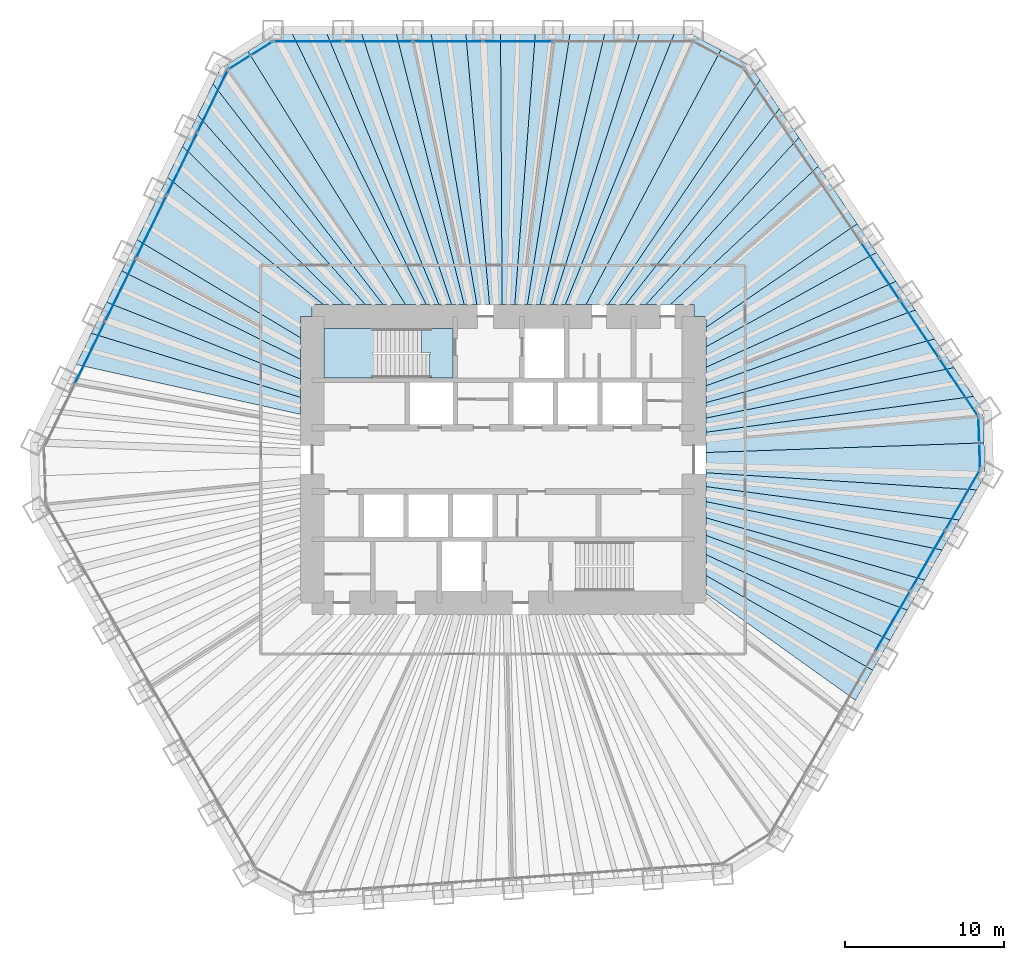
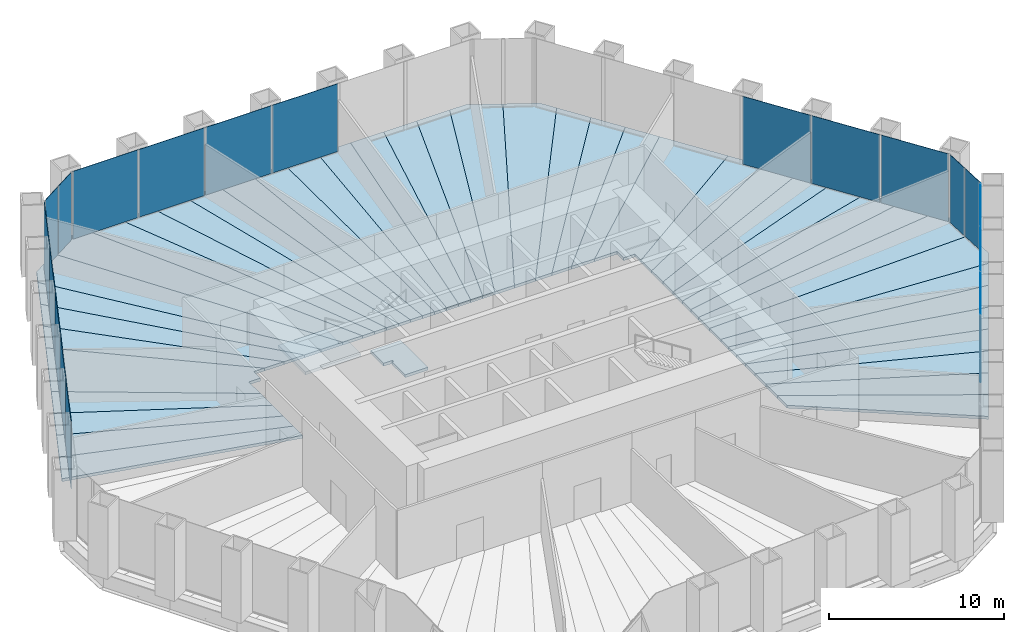
# One storey, part 9 of 13: 44 slabs, 19 plates, 7 elements without a shape of their own.
"""IFC4 building model written with IfcOpenShell, lengths in metres."""

from ifc_helpers import new_model, si_unit, direction, frame, origin, origin_2d, place, context, subcontext, project, spatial, polyline, rectangle, outline, extrude, material, layer, layer_set, type_object, element, aggregate, save


model = new_model("IFC4")

# Units and contexts
model_context = context("Model", 3, precision=1e-05, world=origin(), true_north=direction((0.0, 1.0)))
body_context = subcontext(model_context, "Body", "Model", "MODEL_VIEW")
ifc_project = project(units=[si_unit("LENGTHUNIT", "METRE"), si_unit("AREAUNIT", "SQUARE_METRE"), si_unit("VOLUMEUNIT", "CUBIC_METRE"), si_unit("PLANEANGLEUNIT", "RADIAN"), si_unit("MASSUNIT", "GRAM", prefix="KILO")], contexts=[model_context])

# Site, building, storey
site_placement = place(None, origin())
site = spatial("IfcSite", under=ifc_project, at=site_placement, CompositionType="ELEMENT")
building_placement = place(site_placement, origin())
building = spatial("IfcBuilding", under=site, at=building_placement, Name="Qingtian Harvest Tower", CompositionType="ELEMENT")
storey_placement = place(building_placement, frame((0.0, 0.0, 67.0)))
storey = spatial("IfcBuildingStorey", under=building, at=storey_placement, Name="L13", CompositionType="ELEMENT", Elevation=67.0)

# Slabs
ifc_material_1 = material(Name="Concrete fc' 35 MPa", Category="concrete")
ifc_layer_1 = layer(ifc_material_1, 0.199951171875)
ifc_layer_set_1 = layer_set([ifc_layer_1], Name="Composite floor slab FS20 200")
slab_type_1 = type_object("IfcSlabType", Name="Composite floor slab FS20 200", PredefinedType="FLOOR", material=ifc_layer_set_1)
slab_1_placement = place(storey_placement, frame((0.0, 0.0, -0.199951171875)))
element("IfcSlab", 1, at=slab_1_placement, inside=storey, type_object=slab_type_1, Name="Floor slab L13 panel D32", PredefinedType="FLOOR", context=body_context, shape_type="SweptSolid", body=[
    extrude(outline(polyline([(12.75, -7.279052734375), (23.247802734375, -13.243408203125), (22.159423828125, -15.128662109375), (12.75, -8.4091796875), (12.75, -7.279052734375)])), origin(), (0.0, 0.0, 1.0), 0.199951171875),
])
slab_2_placement = place(storey_placement, frame((0.0, 0.0, -0.199951171875)))
element("IfcSlab", 2, at=slab_2_placement, inside=storey, type_object=slab_type_1, Name="Floor slab L13 panel D33", PredefinedType="FLOOR", context=body_context, shape_type="SweptSolid", body=[
    extrude(outline(polyline([(12.75, -5.96142578125), (24.339111328125, -11.353515625), (23.247802734375, -13.243408203125), (12.75, -7.279052734375), (12.75, -5.96142578125)])), origin(), (0.0, 0.0, 1.0), 0.199951171875),
])
slab_3_placement = place(storey_placement, frame((0.0, 0.0, -0.199951171875)))
element("IfcSlab", 3, at=slab_3_placement, inside=storey, type_object=slab_type_1, Name="Floor slab L13 panel D34", PredefinedType="FLOOR", context=body_context, shape_type="SweptSolid", body=[
    extrude(outline(polyline([(12.75, -4.757080078125), (25.43017578125, -9.46337890625), (24.339111328125, -11.353515625), (12.75, -5.96142578125), (12.75, -4.757080078125)])), origin(), (0.0, 0.0, 1.0), 0.199951171875),
])
slab_4_placement = place(storey_placement, frame((0.0, 0.0, -0.199951171875)))
element("IfcSlab", 4, at=slab_4_placement, inside=storey, type_object=slab_type_1, Name="Floor slab L13 panel D35", PredefinedType="FLOOR", context=body_context, shape_type="SweptSolid", body=[
    extrude(outline(polyline([(12.75, -3.651611328125), (26.521484375, -7.573486328125), (25.43017578125, -9.46337890625), (12.75, -4.757080078125), (12.75, -3.651611328125)])), origin(), (0.0, 0.0, 1.0), 0.199951171875),
])
slab_5_placement = place(storey_placement, frame((0.0, 0.0, -0.199951171875)))
element("IfcSlab", 5, at=slab_5_placement, inside=storey, type_object=slab_type_1, Name="Floor slab L13 panel D36", PredefinedType="FLOOR", context=body_context, shape_type="SweptSolid", body=[
    extrude(outline(polyline([(12.75, -2.634033203125), (27.612548828125, -5.68359375), (26.521484375, -7.573486328125), (12.75, -3.651611328125), (12.75, -2.634033203125)])), origin(), (0.0, 0.0, 1.0), 0.199951171875),
])
slab_6_placement = place(storey_placement, frame((0.0, 0.0, -0.199951171875)))
element("IfcSlab", 6, at=slab_6_placement, inside=storey, type_object=slab_type_1, Name="Floor slab L13 panel D37", PredefinedType="FLOOR", context=body_context, shape_type="SweptSolid", body=[
    extrude(outline(polyline([(12.75, -1.693603515625), (28.703857421875, -3.793701171875), (27.612548828125, -5.68359375), (12.75, -2.634033203125), (12.75, -1.693603515625)])), origin(), (0.0, 0.0, 1.0), 0.199951171875),
])
slab_7_placement = place(storey_placement, frame((0.0, 0.0, -0.199951171875)))
element("IfcSlab", 7, at=slab_7_placement, inside=storey, type_object=slab_type_1, Name="Floor slab L13 panel D38", PredefinedType="FLOOR", context=body_context, shape_type="SweptSolid", body=[
    extrude(outline(polyline([(12.75, -0.822265625), (29.794921875, -1.903564453125), (28.703857421875, -3.793701171875), (12.75, -1.693603515625), (12.75, -0.822265625)])), origin(), (0.0, 0.0, 1.0), 0.199951171875),
])
slab_8_placement = place(storey_placement, frame((0.0, 0.0, -0.199951171875)))
element("IfcSlab", 8, at=slab_8_placement, inside=storey, type_object=slab_type_1, Name="Floor slab L13 panel D39", PredefinedType="FLOOR", context=body_context, shape_type="SweptSolid", body=[
    extrude(outline(polyline([(12.75, -0.822265625), (12.75, 0.447265625), (30.2587890625, 1.056640625), (30.32958984375, -0.9775390625), (29.794921875, -1.903564453125), (12.75, -0.822265625)])), origin(), (0.0, 0.0, 1.0), 0.199951171875),
])
slab_9_placement = place(storey_placement, frame((0.0, 0.0, -0.199951171875)))
element("IfcSlab", 9, at=slab_9_placement, inside=storey, type_object=slab_type_1, Name="Floor slab L13 panel D40", PredefinedType="FLOOR", context=body_context, shape_type="SweptSolid", body=[
    extrude(outline(polyline([(12.75, 0.447265625), (12.75, 1.72265625), (29.589599609375, 3.977294921875), (30.187744140625, 3.0908203125), (30.2587890625, 1.056640625), (12.75, 0.447265625)])), origin(), (0.0, 0.0, 1.0), 0.199951171875),
])
slab_10_placement = place(storey_placement, frame((0.0, 0.0, -0.199951171875)))
element("IfcSlab", 10, at=slab_10_placement, inside=storey, type_object=slab_type_1, Name="Floor slab L13 panel D41", PredefinedType="FLOOR", context=body_context, shape_type="SweptSolid", body=[
    extrude(outline(polyline([(12.75, 2.610595703125), (28.369140625, 5.78662109375), (29.589599609375, 3.977294921875), (12.75, 1.72265625), (12.75, 2.610595703125)])), origin(), (0.0, 0.0, 1.0), 0.199951171875),
])
slab_11_placement = place(storey_placement, frame((0.0, 0.0, -0.199951171875)))
element("IfcSlab", 11, at=slab_11_placement, inside=storey, type_object=slab_type_1, Name="Floor slab L13 panel D42", PredefinedType="FLOOR", context=body_context, shape_type="SweptSolid", body=[
    extrude(outline(polyline([(12.75, 3.57861328125), (27.14892578125, 7.595947265625), (28.369140625, 5.78662109375), (12.75, 2.610595703125), (12.75, 3.57861328125)])), origin(), (0.0, 0.0, 1.0), 0.199951171875),
])
slab_12_placement = place(storey_placement, frame((0.0, 0.0, -0.199951171875)))
element("IfcSlab", 12, at=slab_12_placement, inside=storey, type_object=slab_type_1, Name="Floor slab L13 panel D43", PredefinedType="FLOOR", context=body_context, shape_type="SweptSolid", body=[
    extrude(outline(polyline([(12.75, 4.6376953125), (25.928466796875, 9.405029296875), (27.14892578125, 7.595947265625), (12.75, 3.57861328125), (12.75, 4.6376953125)])), origin(), (0.0, 0.0, 1.0), 0.199951171875),
])
slab_13_placement = place(storey_placement, frame((0.0, 0.0, -0.199951171875)))
element("IfcSlab", 13, at=slab_13_placement, inside=storey, type_object=slab_type_1, Name="Floor slab L13 panel D44", PredefinedType="FLOOR", context=body_context, shape_type="SweptSolid", body=[
    extrude(outline(polyline([(12.75, 5.8017578125), (24.708251953125, 11.21435546875), (25.928466796875, 9.405029296875), (12.75, 4.6376953125), (12.75, 5.8017578125)])), origin(), (0.0, 0.0, 1.0), 0.199951171875),
])
slab_14_placement = place(storey_placement, frame((0.0, 0.0, -0.199951171875)))
element("IfcSlab", 14, at=slab_14_placement, inside=storey, type_object=slab_type_1, Name="Floor slab L13 panel D45", PredefinedType="FLOOR", context=body_context, shape_type="SweptSolid", body=[
    extrude(outline(polyline([(12.75, 7.087158203125), (23.48779296875, 13.023681640625), (24.708251953125, 11.21435546875), (12.75, 5.8017578125), (12.75, 7.087158203125)])), origin(), (0.0, 0.0, 1.0), 0.199951171875),
])
slab_15_placement = place(storey_placement, frame((0.0, 0.0, -0.199951171875)))
element("IfcSlab", 15, at=slab_15_placement, inside=storey, type_object=slab_type_1, Name="Floor slab L13 panel D46", PredefinedType="FLOOR", context=body_context, shape_type="SweptSolid", body=[
    extrude(outline(polyline([(12.75, 8.30615234375), (22.26953125, 14.829833984375), (23.48779296875, 13.023681640625), (12.75, 7.087158203125), (12.75, 8.30615234375)])), origin(), (0.0, 0.0, 1.0), 0.199951171875),
])
slab_16_placement = place(storey_placement, frame((0.0, 0.0, -0.199951171875)))
element("IfcSlab", 16, at=slab_16_placement, inside=storey, type_object=slab_type_1, Name="Floor slab L13 panel D48", PredefinedType="FLOOR", context=body_context, shape_type="SweptSolid", body=[
    extrude(outline(polyline([(19.8271484375, 18.45068359375), (22.26953125, 14.829833984375), (12.75, 8.30615234375), (12.75, 9.0), (12.0, 9.0), (12.0, 9.75), (10.51806640625, 9.75), (19.8271484375, 18.45068359375)])), origin(), (0.0, 0.0, 1.0), 0.199951171875),
])
slab_17_placement = place(storey_placement, frame((0.0, 0.0, -0.199951171875)))
element("IfcSlab", 17, at=slab_17_placement, inside=storey, type_object=slab_type_1, Name="Floor slab L13 panel D49", PredefinedType="FLOOR", context=body_context, shape_type="SweptSolid", body=[
    extrude(outline(polyline([(8.985107421875, 9.75), (18.60693359375, 20.260009765625), (19.8271484375, 18.45068359375), (10.51806640625, 9.75), (8.985107421875, 9.75)])), origin(), (0.0, 0.0, 1.0), 0.199951171875),
])
slab_18_placement = place(storey_placement, frame((0.0, 0.0, -0.199951171875)))
element("IfcSlab", 18, at=slab_18_placement, inside=storey, type_object=slab_type_1, Name="Floor slab L13 panel D50", PredefinedType="FLOOR", context=body_context, shape_type="SweptSolid", body=[
    extrude(outline(polyline([(7.705078125, 9.75), (17.386474609375, 22.0693359375), (18.60693359375, 20.260009765625), (8.985107421875, 9.75), (7.705078125, 9.75)])), origin(), (0.0, 0.0, 1.0), 0.199951171875),
])
slab_19_placement = place(storey_placement, frame((0.0, 0.0, -0.199951171875)))
element("IfcSlab", 19, at=slab_19_placement, inside=storey, type_object=slab_type_1, Name="Floor slab L13 panel D51", PredefinedType="FLOOR", context=body_context, shape_type="SweptSolid", body=[
    extrude(outline(polyline([(6.61962890625, 9.75), (16.166015625, 23.87841796875), (17.386474609375, 22.0693359375), (7.705078125, 9.75), (6.61962890625, 9.75)])), origin(), (0.0, 0.0, 1.0), 0.199951171875),
])
slab_20_placement = place(storey_placement, frame((0.0, 0.0, -0.199951171875)))
element("IfcSlab", 20, at=slab_20_placement, inside=storey, type_object=slab_type_1, Name="Floor slab L13 panel D52", PredefinedType="FLOOR", context=body_context, shape_type="SweptSolid", body=[
    extrude(outline(polyline([(6.61962890625, 9.75), (5.21875, 9.75), (13.697265625, 25.760009765625), (15.56787109375, 24.765380859375), (16.166015625, 23.87841796875), (6.61962890625, 9.75)])), origin(), (0.0, 0.0, 1.0), 0.199951171875),
])
slab_21_placement = place(storey_placement, frame((0.0, 0.0, -0.199951171875)))
element("IfcSlab", 21, at=slab_21_placement, inside=storey, type_object=slab_type_1, Name="Floor slab L13 panel D53", PredefinedType="FLOOR", context=body_context, shape_type="SweptSolid", body=[
    extrude(outline(polyline([(3.919921875, 9.75), (10.756591796875, 26.7548828125), (11.825927734375, 26.7548828125), (13.697265625, 25.760009765625), (5.21875, 9.75), (3.919921875, 9.75)])), origin(), (0.0, 0.0, 1.0), 0.199951171875),
])
slab_22_placement = place(storey_placement, frame((0.0, 0.0, -0.199951171875)))
element("IfcSlab", 22, at=slab_22_placement, inside=storey, type_object=slab_type_1, Name="Floor slab L13 panel D54", PredefinedType="FLOOR", context=body_context, shape_type="SweptSolid", body=[
    extrude(outline(polyline([(3.12451171875, 9.75), (8.57421875, 26.7548828125), (10.756591796875, 26.7548828125), (3.919921875, 9.75), (3.12451171875, 9.75)])), origin(), (0.0, 0.0, 1.0), 0.199951171875),
])
slab_23_placement = place(storey_placement, frame((0.0, 0.0, -0.199951171875)))
element("IfcSlab", 23, at=slab_23_placement, inside=storey, type_object=slab_type_1, Name="Floor slab L13 panel D55", PredefinedType="FLOOR", context=body_context, shape_type="SweptSolid", body=[
    extrude(outline(polyline([(2.329345703125, 9.75), (6.391845703125, 26.7548828125), (8.57421875, 26.7548828125), (3.12451171875, 9.75), (2.329345703125, 9.75)])), origin(), (0.0, 0.0, 1.0), 0.199951171875),
])
slab_24_placement = place(storey_placement, frame((0.0, 0.0, -0.199951171875)))
element("IfcSlab", 24, at=slab_24_placement, inside=storey, type_object=slab_type_1, Name="Floor slab L13 panel D56", PredefinedType="FLOOR", context=body_context, shape_type="SweptSolid", body=[
    extrude(outline(polyline([(1.533935546875, 9.75), (4.20947265625, 26.7548828125), (6.391845703125, 26.7548828125), (2.329345703125, 9.75), (1.533935546875, 9.75)])), origin(), (0.0, 0.0, 1.0), 0.199951171875),
])
slab_25_placement = place(storey_placement, frame((0.0, 0.0, -0.199951171875)))
element("IfcSlab", 25, at=slab_25_placement, inside=storey, type_object=slab_type_1, Name="Floor slab L13 panel D57", PredefinedType="FLOOR", context=body_context, shape_type="SweptSolid", body=[
    extrude(outline(polyline([(0.73876953125, 9.75), (2.02734375, 26.7548828125), (4.20947265625, 26.7548828125), (1.533935546875, 9.75), (0.73876953125, 9.75)])), origin(), (0.0, 0.0, 1.0), 0.199951171875),
])
slab_26_placement = place(storey_placement, frame((0.0, 0.0, -0.199951171875)))
element("IfcSlab", 26, at=slab_26_placement, inside=storey, type_object=slab_type_1, Name="Floor slab L13 panel D58", PredefinedType="FLOOR", context=body_context, shape_type="SweptSolid", body=[
    extrude(outline(polyline([(-0.056396484375, 9.75), (-0.155029296875, 26.7548828125), (2.02734375, 26.7548828125), (0.73876953125, 9.75), (-0.056396484375, 9.75)])), origin(), (0.0, 0.0, 1.0), 0.199951171875),
])
slab_27_placement = place(storey_placement, frame((0.0, 0.0, -0.199951171875)))
element("IfcSlab", 27, at=slab_27_placement, inside=storey, type_object=slab_type_1, Name="Floor slab L13 panel D59", PredefinedType="FLOOR", context=body_context, shape_type="SweptSolid", body=[
    extrude(outline(polyline([(-0.851806640625, 9.75), (-2.33740234375, 26.7548828125), (-0.155029296875, 26.7548828125), (-0.056396484375, 9.75), (-0.851806640625, 9.75)])), origin(), (0.0, 0.0, 1.0), 0.199951171875),
])
slab_28_placement = place(storey_placement, frame((0.0, 0.0, -0.199951171875)))
element("IfcSlab", 28, at=slab_28_placement, inside=storey, type_object=slab_type_1, Name="Floor slab L13 panel D60", PredefinedType="FLOOR", context=body_context, shape_type="SweptSolid", body=[
    extrude(outline(polyline([(-1.64697265625, 9.75), (-4.519775390625, 26.7548828125), (-2.33740234375, 26.7548828125), (-0.851806640625, 9.75), (-1.64697265625, 9.75)])), origin(), (0.0, 0.0, 1.0), 0.199951171875),
])
slab_29_placement = place(storey_placement, frame((0.0, 0.0, -0.199951171875)))
element("IfcSlab", 29, at=slab_29_placement, inside=storey, type_object=slab_type_1, Name="Floor slab L13 panel D61", PredefinedType="FLOOR", context=body_context, shape_type="SweptSolid", body=[
    extrude(outline(polyline([(-2.4423828125, 9.75), (-6.7021484375, 26.7548828125), (-4.519775390625, 26.7548828125), (-1.64697265625, 9.75), (-2.4423828125, 9.75)])), origin(), (0.0, 0.0, 1.0), 0.199951171875),
])
slab_30_placement = place(storey_placement, frame((0.0, 0.0, -0.199951171875)))
element("IfcSlab", 30, at=slab_30_placement, inside=storey, type_object=slab_type_1, Name="Floor slab L13 panel D62", PredefinedType="FLOOR", context=body_context, shape_type="SweptSolid", body=[
    extrude(outline(polyline([(-3.237548828125, 9.75), (-8.88427734375, 26.7548828125), (-6.7021484375, 26.7548828125), (-2.4423828125, 9.75), (-3.237548828125, 9.75)])), origin(), (0.0, 0.0, 1.0), 0.199951171875),
])
slab_31_placement = place(storey_placement, frame((0.0, 0.0, -0.199951171875)))
element("IfcSlab", 31, at=slab_31_placement, inside=storey, type_object=slab_type_1, Name="Floor slab L13 panel D63", PredefinedType="FLOOR", context=body_context, shape_type="SweptSolid", body=[
    extrude(outline(polyline([(-4.032958984375, 9.75), (-11.066650390625, 26.7548828125), (-8.88427734375, 26.7548828125), (-3.237548828125, 9.75), (-4.032958984375, 9.75)])), origin(), (0.0, 0.0, 1.0), 0.199951171875),
])
slab_32_placement = place(storey_placement, frame((0.0, 0.0, -0.199951171875)))
element("IfcSlab", 32, at=slab_32_placement, inside=storey, type_object=slab_type_1, Name="Floor slab L13 panel D64", PredefinedType="FLOOR", context=body_context, shape_type="SweptSolid", body=[
    extrude(outline(polyline([(-4.828125, 9.75), (-13.2490234375, 26.7548828125), (-11.066650390625, 26.7548828125), (-4.032958984375, 9.75), (-4.828125, 9.75)])), origin(), (0.0, 0.0, 1.0), 0.199951171875),
])
slab_33_placement = place(storey_placement, frame((0.0, 0.0, -0.199951171875)))
element("IfcSlab", 33, at=slab_33_placement, inside=storey, type_object=slab_type_1, Name="Floor slab L13 panel D65", PredefinedType="FLOOR", context=body_context, shape_type="SweptSolid", body=[
    extrude(outline(polyline([(-4.828125, 9.75), (-6.130126953125, 9.75), (-16.044921875, 25.67626953125), (-14.318359375, 26.7548828125), (-13.2490234375, 26.7548828125), (-4.828125, 9.75)])), origin(), (0.0, 0.0, 1.0), 0.199951171875),
])
slab_34_placement = place(storey_placement, frame((0.0, 0.0, -0.199951171875)))
element("IfcSlab", 34, at=slab_34_placement, inside=storey, type_object=slab_type_1, Name="Floor slab L13 panel D66", PredefinedType="FLOOR", context=body_context, shape_type="SweptSolid", body=[
    extrude(outline(polyline([(-6.130126953125, 9.75), (-7.544677734375, 9.75), (-18.239501953125, 23.636474609375), (-17.7705078125, 24.597900390625), (-16.044921875, 25.67626953125), (-6.130126953125, 9.75)])), origin(), (0.0, 0.0, 1.0), 0.199951171875),
])
slab_35_placement = place(storey_placement, frame((0.0, 0.0, -0.199951171875)))
element("IfcSlab", 35, at=slab_35_placement, inside=storey, type_object=slab_type_1, Name="Floor slab L13 panel D67", PredefinedType="FLOOR", context=body_context, shape_type="SweptSolid", body=[
    extrude(outline(polyline([(-8.662109375, 9.75), (-19.196044921875, 21.675048828125), (-18.239501953125, 23.636474609375), (-7.544677734375, 9.75), (-8.662109375, 9.75)])), origin(), (0.0, 0.0, 1.0), 0.199951171875),
])
slab_36_placement = place(storey_placement, frame((0.0, 0.0, -0.199951171875)))
element("IfcSlab", 36, at=slab_36_placement, inside=storey, type_object=slab_type_1, Name="Floor slab L13 panel D68", PredefinedType="FLOOR", context=body_context, shape_type="SweptSolid", body=[
    extrude(outline(polyline([(-10.00341796875, 9.75), (-20.15283203125, 19.71337890625), (-19.196044921875, 21.675048828125), (-8.662109375, 9.75), (-10.00341796875, 9.75)])), origin(), (0.0, 0.0, 1.0), 0.199951171875),
])
slab_37_placement = place(storey_placement, frame((0.0, 0.0, -0.199951171875)))
element("IfcSlab", 37, at=slab_37_placement, inside=storey, type_object=slab_type_1, Name="Floor slab L13 panel D69", PredefinedType="FLOOR", context=body_context, shape_type="SweptSolid", body=[
    extrude(outline(polyline([(-11.2939453125, 9.75), (-21.107666015625, 17.755859375), (-20.15283203125, 19.71337890625), (-10.00341796875, 9.75), (-11.2939453125, 9.75)])), origin(), (0.0, 0.0, 1.0), 0.199951171875),
])
slab_38_placement = place(storey_placement, frame((0.0, 0.0, -0.199951171875)))
element("IfcSlab", 38, at=slab_38_placement, inside=storey, type_object=slab_type_1, Name="Floor slab L13 panel D70", PredefinedType="FLOOR", context=body_context, shape_type="SweptSolid", body=[
    extrude(outline(polyline([(-12.0, 9.0), (-12.75, 9.0), (-12.75, 7.67333984375), (-23.0224609375, 13.82958984375), (-21.107666015625, 17.755859375), (-11.2939453125, 9.75), (-12.0, 9.75), (-12.0, 9.0)])), origin(), (0.0, 0.0, 1.0), 0.199951171875),
])
slab_39_placement = place(storey_placement, frame((0.0, 0.0, -0.199951171875)))
element("IfcSlab", 39, at=slab_39_placement, inside=storey, type_object=slab_type_1, Name="Floor slab L13 panel D72", PredefinedType="FLOOR", context=body_context, shape_type="SweptSolid", body=[
    extrude(outline(polyline([(-12.75, 6.3232421875), (-23.979248046875, 11.8681640625), (-23.0224609375, 13.82958984375), (-12.75, 7.67333984375), (-12.75, 6.3232421875)])), origin(), (0.0, 0.0, 1.0), 0.199951171875),
])
slab_40_placement = place(storey_placement, frame((0.0, 0.0, -0.199951171875)))
element("IfcSlab", 40, at=slab_40_placement, inside=storey, type_object=slab_type_1, Name="Floor slab L13 panel D73", PredefinedType="FLOOR", context=body_context, shape_type="SweptSolid", body=[
    extrude(outline(polyline([(-12.75, 5.076904296875), (-24.935791015625, 9.90673828125), (-23.979248046875, 11.8681640625), (-12.75, 6.3232421875), (-12.75, 5.076904296875)])), origin(), (0.0, 0.0, 1.0), 0.199951171875),
])
slab_41_placement = place(storey_placement, frame((0.0, 0.0, -0.199951171875)))
element("IfcSlab", 41, at=slab_41_placement, inside=storey, type_object=slab_type_1, Name="Floor slab L13 panel D74", PredefinedType="FLOOR", context=body_context, shape_type="SweptSolid", body=[
    extrude(outline(polyline([(-12.75, 3.922607421875), (-25.892578125, 7.9453125), (-24.935791015625, 9.90673828125), (-12.75, 5.076904296875), (-12.75, 3.922607421875)])), origin(), (0.0, 0.0, 1.0), 0.199951171875),
])
slab_42_placement = place(storey_placement, frame((0.0, 0.0, -0.199951171875)))
element("IfcSlab", 42, at=slab_42_placement, inside=storey, type_object=slab_type_1, Name="Floor slab L13 panel D75", PredefinedType="FLOOR", context=body_context, shape_type="SweptSolid", body=[
    extrude(outline(polyline([(-12.75, 2.8505859375), (-26.84912109375, 5.98388671875), (-25.892578125, 7.9453125), (-12.75, 3.922607421875), (-12.75, 2.8505859375)])), origin(), (0.0, 0.0, 1.0), 0.199951171875),
])

# Curtain wall, plates
ifc_material_2 = material(Name="Bronze-anodised aluminium curtain wall", Category="aluminium")
curtain_wall_type = type_object("IfcCurtainWallType", Name="Curtain wall CW2 farm reception", PredefinedType="USERDEFINED", material=ifc_material_2)
curtain_wall_1_placement = place(storey_placement, origin())
curtain_wall_1 = element("IfcCurtainWall", 43, at=curtain_wall_1_placement, inside=storey, type_object=curtain_wall_type, Name="Curtain wall CW2 L13 N0-5", ObjectType="RECESSED CURTAIN WALL", PredefinedType="USERDEFINED")
ifc_material_3 = material(Name="Bronze-tinted laminated insulating glass", Category="glass")
ifc_layer_2 = layer(ifc_material_3, 0.030029296875)
ifc_layer_set_2 = layer_set([ifc_layer_2], Name="Glazed panel CWP tinted IGU")
plate_type = type_object("IfcPlateType", Name="Glazed panel CWP tinted IGU", PredefinedType="CURTAIN_PANEL", material=ifc_layer_set_2)
plate_1_placement = place(storey_placement, frame((-12.2529296875, 26.300048828125, 0.06494140625), z_axis=(0.0, 0.0, 1.0), x_axis=(1.0, 0.0, 0.0)))
plate_1 = element("IfcPlate", 44, at=plate_1_placement, type_object=plate_type, Name="CW2 panel 1.1", PredefinedType="CURTAIN_PANEL", context=body_context, shape_type="SweptSolid", body=[
    extrude(rectangle(XDim=4.30712890625, YDim=0.030029296875, at=origin_2d()), origin(), (0.0, 0.0, 1.0), 4.735107421875),
])
plate_2_placement = place(storey_placement, frame((-7.864501953125, 26.300048828125, 0.06494140625), z_axis=(0.0, 0.0, 1.0), x_axis=(1.0, 0.0, 0.0)))
plate_2 = element("IfcPlate", 45, at=plate_2_placement, type_object=plate_type, Name="CW2 panel 2.1", PredefinedType="CURTAIN_PANEL", context=body_context, shape_type="SweptSolid", body=[
    extrude(rectangle(XDim=4.339599609375, YDim=0.030029296875, at=origin_2d()), origin(), (0.0, 0.0, 1.0), 4.735107421875),
])
plate_3_placement = place(storey_placement, frame((-3.4599609375, 26.300048828125, 0.06494140625), z_axis=(0.0, 0.0, 1.0), x_axis=(1.0, 0.0, 0.0)))
plate_3 = element("IfcPlate", 46, at=plate_3_placement, type_object=plate_type, Name="CW2 panel 3.1", PredefinedType="CURTAIN_PANEL", context=body_context, shape_type="SweptSolid", body=[
    extrude(rectangle(XDim=4.339599609375, YDim=0.030029296875, at=origin_2d()), origin(), (0.0, 0.0, 1.0), 4.735107421875),
])
plate_4_placement = place(storey_placement, frame((0.944580078125, 26.300048828125, 0.06494140625), z_axis=(0.0, 0.0, 1.0), x_axis=(1.0, 0.0, 0.0)))
plate_4 = element("IfcPlate", 47, at=plate_4_placement, type_object=plate_type, Name="CW2 panel 4.1", PredefinedType="CURTAIN_PANEL", context=body_context, shape_type="SweptSolid", body=[
    extrude(rectangle(XDim=4.339599609375, YDim=0.030029296875, at=origin_2d()), origin(), (0.0, 0.0, 1.0), 4.735107421875),
])
aggregate(curtain_wall_1, [plate_1, plate_2, plate_3, plate_4])

curtain_wall_2_placement = place(storey_placement, origin())
curtain_wall_2 = element("IfcCurtainWall", 48, at=curtain_wall_2_placement, inside=storey, type_object=curtain_wall_type, Name="Curtain wall CW2 L13 NE0-5", ObjectType="RECESSED CURTAIN WALL", PredefinedType="USERDEFINED")
plate_5_placement = place(storey_placement, frame((23.738525390625, 11.83837890625, 0.06494140625), z_axis=(0.0, 0.0, 1.0), x_axis=(0.559192903471, -0.829037572555, 0.0)))
plate_5 = element("IfcPlate", 49, at=plate_5_placement, type_object=plate_type, Name="CW2 panel 4.1", PredefinedType="CURTAIN_PANEL", context=body_context, shape_type="SweptSolid", body=[
    extrude(rectangle(XDim=4.339599609375, YDim=0.030029296875, at=origin_2d()), origin(), (0.0, 0.0, 1.0), 4.735107421875),
])
plate_6_placement = place(storey_placement, frame((26.201416015625, 8.186767578125, 0.06494140625), z_axis=(0.0, 0.0, 1.0), x_axis=(0.559192903471, -0.829037572555, 0.0)))
plate_6 = element("IfcPlate", 50, at=plate_6_placement, type_object=plate_type, Name="CW2 panel 5.1", PredefinedType="CURTAIN_PANEL", context=body_context, shape_type="SweptSolid", body=[
    extrude(rectangle(XDim=4.339599609375, YDim=0.030029296875, at=origin_2d()), origin(), (0.0, 0.0, 1.0), 4.735107421875),
])
plate_7_placement = place(storey_placement, frame((28.655517578125, 4.548583984375, 0.06494140625), z_axis=(0.0, 0.0, 1.0), x_axis=(0.559192903471, -0.829037572555, 0.0)))
plate_7 = element("IfcPlate", 51, at=plate_7_placement, type_object=plate_type, Name="CW2 panel 6.1", PredefinedType="CURTAIN_PANEL", context=body_context, shape_type="SweptSolid", body=[
    extrude(rectangle(XDim=4.30712890625, YDim=0.030029296875, at=origin_2d()), origin(), (0.0, 0.0, 1.0), 4.735107421875),
])
aggregate(curtain_wall_2, [plate_5, plate_6, plate_7])

curtain_wall_3_placement = place(storey_placement, origin())
curtain_wall_3 = element("IfcCurtainWall", 52, at=curtain_wall_3_placement, inside=storey, type_object=curtain_wall_type, Name="Curtain wall CW2 L13 NEC", ObjectType="RECESSED CURTAIN WALL", PredefinedType="USERDEFINED")
plate_8_placement = place(storey_placement, frame((29.925537109375, 1.861572265625, 0.06494140625), z_axis=(0.0, 0.0, 1.0), x_axis=(0.034899496703, -0.999390827019, 0.0)))
plate_8 = element("IfcPlate", 53, at=plate_8_placement, type_object=plate_type, Name="CW2 panel 1.1", PredefinedType="CURTAIN_PANEL", context=body_context, shape_type="SweptSolid", body=[
    extrude(rectangle(XDim=1.56689453125, YDim=0.030029296875, at=origin_2d()), origin(), (0.0, 0.0, 1.0), 4.735107421875),
])
plate_9_placement = place(storey_placement, frame((29.982666015625, 0.23046875, 0.06494140625), z_axis=(0.0, 0.0, 1.0), x_axis=(0.034899496703, -0.999390827019, 0.0)))
plate_9 = element("IfcPlate", 54, at=plate_9_placement, type_object=plate_type, Name="CW2 panel 2.1", PredefinedType="CURTAIN_PANEL", context=body_context, shape_type="SweptSolid", body=[
    extrude(rectangle(XDim=1.56689453125, YDim=0.030029296875, at=origin_2d()), origin(), (0.0, 0.0, 1.0), 4.735107421875),
])
aggregate(curtain_wall_3, [plate_8, plate_9])

curtain_wall_4_placement = place(storey_placement, origin())
curtain_wall_4 = element("IfcCurtainWall", 55, at=curtain_wall_4_placement, inside=storey, type_object=curtain_wall_type, Name="Curtain wall CW2 L13 SE0-5", ObjectType="RECESSED CURTAIN WALL", PredefinedType="USERDEFINED")
plate_10_placement = place(storey_placement, frame((28.90283203125, -2.53857421875, 0.06494140625), z_axis=(0.0, 0.0, 1.0), x_axis=(-0.5, -0.866025403784, 0.0)))
plate_10 = element("IfcPlate", 56, at=plate_10_placement, type_object=plate_type, Name="CW2 panel 1.1", PredefinedType="CURTAIN_PANEL", context=body_context, shape_type="SweptSolid", body=[
    extrude(rectangle(XDim=4.30712890625, YDim=0.030029296875, at=origin_2d()), origin(), (0.0, 0.0, 1.0), 4.735107421875),
])
plate_11_placement = place(storey_placement, frame((26.708740234375, -6.339111328125, 0.06494140625), z_axis=(0.0, 0.0, 1.0), x_axis=(-0.5, -0.866025403784, 0.0)))
plate_11 = element("IfcPlate", 57, at=plate_11_placement, type_object=plate_type, Name="CW2 panel 2.1", PredefinedType="CURTAIN_PANEL", context=body_context, shape_type="SweptSolid", body=[
    extrude(rectangle(XDim=4.339599609375, YDim=0.030029296875, at=origin_2d()), origin(), (0.0, 0.0, 1.0), 4.735107421875),
])
plate_12_placement = place(storey_placement, frame((24.50634765625, -10.153564453125, 0.06494140625), z_axis=(0.0, 0.0, 1.0), x_axis=(-0.5, -0.866025403784, 0.0)))
plate_12 = element("IfcPlate", 58, at=plate_12_placement, type_object=plate_type, Name="CW2 panel 3.1", PredefinedType="CURTAIN_PANEL", context=body_context, shape_type="SweptSolid", body=[
    extrude(rectangle(XDim=4.339599609375, YDim=0.030029296875, at=origin_2d()), origin(), (0.0, 0.0, 1.0), 4.735107421875),
])
aggregate(curtain_wall_4, [plate_10, plate_11, plate_12])

curtain_wall_5_placement = place(storey_placement, origin())
curtain_wall_5 = element("IfcCurtainWall", 59, at=curtain_wall_5_placement, inside=storey, type_object=curtain_wall_type, Name="Curtain wall CW2 L13 NW0-5", ObjectType="RECESSED CURTAIN WALL", PredefinedType="USERDEFINED")
plate_13_placement = place(storey_placement, frame((-25.983154296875, 6.72119140625, 0.06494140625), z_axis=(0.0, 0.0, 1.0), x_axis=(0.438371146789, 0.898794046299, 0.0)))
plate_13 = element("IfcPlate", 60, at=plate_13_placement, type_object=plate_type, Name="CW2 panel 2.1", PredefinedType="CURTAIN_PANEL", context=body_context, shape_type="SweptSolid", body=[
    extrude(rectangle(XDim=4.339599609375, YDim=0.030029296875, at=origin_2d()), origin(), (0.0, 0.0, 1.0), 4.735107421875),
])
plate_14_placement = place(storey_placement, frame((-24.052490234375, 10.68017578125, 0.06494140625), z_axis=(0.0, 0.0, 1.0), x_axis=(0.438371146789, 0.898794046299, 0.0)))
plate_14 = element("IfcPlate", 61, at=plate_14_placement, type_object=plate_type, Name="CW2 panel 3.1", PredefinedType="CURTAIN_PANEL", context=body_context, shape_type="SweptSolid", body=[
    extrude(rectangle(XDim=4.339599609375, YDim=0.030029296875, at=origin_2d()), origin(), (0.0, 0.0, 1.0), 4.735107421875),
])
plate_15_placement = place(storey_placement, frame((-22.12158203125, 14.638916015625, 0.06494140625), z_axis=(0.0, 0.0, 1.0), x_axis=(0.438371146789, 0.898794046299, 0.0)))
plate_15 = element("IfcPlate", 62, at=plate_15_placement, type_object=plate_type, Name="CW2 panel 4.1", PredefinedType="CURTAIN_PANEL", context=body_context, shape_type="SweptSolid", body=[
    extrude(rectangle(XDim=4.339599609375, YDim=0.030029296875, at=origin_2d()), origin(), (0.0, 0.0, 1.0), 4.735107421875),
])
plate_16_placement = place(storey_placement, frame((-20.190673828125, 18.597900390625, 0.06494140625), z_axis=(0.0, 0.0, 1.0), x_axis=(0.438371146789, 0.898794046299, 0.0)))
plate_16 = element("IfcPlate", 63, at=plate_16_placement, type_object=plate_type, Name="CW2 panel 5.1", PredefinedType="CURTAIN_PANEL", context=body_context, shape_type="SweptSolid", body=[
    extrude(rectangle(XDim=4.339599609375, YDim=0.030029296875, at=origin_2d()), origin(), (0.0, 0.0, 1.0), 4.735107421875),
])
plate_17_placement = place(storey_placement, frame((-18.266845703125, 22.5419921875, 0.06494140625), z_axis=(0.0, 0.0, 1.0), x_axis=(0.438371146789, 0.898794046299, 0.0)))
plate_17 = element("IfcPlate", 64, at=plate_17_placement, type_object=plate_type, Name="CW2 panel 6.1", PredefinedType="CURTAIN_PANEL", context=body_context, shape_type="SweptSolid", body=[
    extrude(rectangle(XDim=4.30712890625, YDim=0.030029296875, at=origin_2d()), origin(), (0.0, 0.0, 1.0), 4.735107421875),
])
aggregate(curtain_wall_5, [plate_13, plate_14, plate_15, plate_16, plate_17])

curtain_wall_6_placement = place(storey_placement, origin())
curtain_wall_6 = element("IfcCurtainWall", 65, at=curtain_wall_6_placement, inside=storey, type_object=curtain_wall_type, Name="Curtain wall CW2 L13 NWC", ObjectType="RECESSED CURTAIN WALL", PredefinedType="USERDEFINED")
plate_18_placement = place(storey_placement, frame((-16.574951171875, 24.985595703125, 0.06494140625), z_axis=(0.0, 0.0, 1.0), x_axis=(0.848048096156, 0.529919264233, 0.0)))
plate_18 = element("IfcPlate", 66, at=plate_18_placement, type_object=plate_type, Name="CW2 panel 1.1", PredefinedType="CURTAIN_PANEL", context=body_context, shape_type="SweptSolid", body=[
    extrude(rectangle(XDim=1.56689453125, YDim=0.030029296875, at=origin_2d()), origin(), (0.0, 0.0, 1.0), 4.735107421875),
])
plate_19_placement = place(storey_placement, frame((-15.19091796875, 25.850341796875, 0.06494140625), z_axis=(0.0, 0.0, 1.0), x_axis=(0.848048096156, 0.529919264233, 0.0)))
plate_19 = element("IfcPlate", 67, at=plate_19_placement, type_object=plate_type, Name="CW2 panel 2.1", PredefinedType="CURTAIN_PANEL", context=body_context, shape_type="SweptSolid", body=[
    extrude(rectangle(XDim=1.56689453125, YDim=0.030029296875, at=origin_2d()), origin(), (0.0, 0.0, 1.0), 4.735107421875),
])
aggregate(curtain_wall_6, [plate_18, plate_19])

# Stair, slabs
ifc_material_4 = material(Name="Concrete fc' 35 MPa", Category="concrete")
stair_type = type_object("IfcStairType", Name="Special stair ST2 5000", PredefinedType="HALF_TURN_STAIR", material=ifc_material_4)
stair_placement = place(storey_placement, origin())
stair = element("IfcStair", 68, at=stair_placement, inside=storey, type_object=stair_type, Name="Special stair S1 L13", PredefinedType="HALF_TURN_STAIR")
ifc_material_5 = material(Name="Concrete fc' 35 MPa", Category="concrete")
ifc_layer_3 = layer(ifc_material_5, 0.199951171875)
ifc_layer_set_3 = layer_set([ifc_layer_3], Name="Stair landing SL2 200")
slab_type_2 = type_object("IfcSlabType", Name="Stair landing SL2 200", PredefinedType="LANDING", material=ifc_layer_set_3)
slab_43_placement = place(storey_placement, frame((0.0, 0.0, -0.199951171875)))
slab_43 = element("IfcSlab", 69, at=slab_43_placement, type_object=slab_type_2, Name="S1 landing 1", PredefinedType="LANDING", context=body_context, shape_type="SweptSolid", body=[
    extrude(outline(polyline([(-4.64990234375, 5.14990234375), (-4.64990234375, 6.64990234375), (-4.550048828125, 6.64990234375), (-4.550048828125, 6.75), (-5.155029296875, 6.75), (-5.155029296875, 8.25), (-3.14990234375, 8.25), (-3.14990234375, 5.14990234375), (-4.64990234375, 5.14990234375)])), origin(), (0.0, 0.0, 1.0), 0.199951171875),
])
slab_44_placement = place(storey_placement, frame((0.0, 0.0, 2.300048828125)))
slab_44 = element("IfcSlab", 70, at=slab_44_placement, type_object=slab_type_2, Name="S1 landing 2", PredefinedType="LANDING", context=body_context, shape_type="SweptSolid", body=[
    extrude(outline(polyline([(-7.5849609375, 5.14990234375), (-11.25, 5.14990234375), (-11.25, 8.25), (-8.090087890625, 8.25), (-8.090087890625, 6.75), (-8.18994140625, 6.75), (-8.18994140625, 6.64990234375), (-7.5849609375, 6.64990234375), (-7.5849609375, 5.14990234375)])), origin(), (0.0, 0.0, 1.0), 0.199951171875),
])
aggregate(stair, [slab_43, slab_44])

save(model, "model.ifc")
